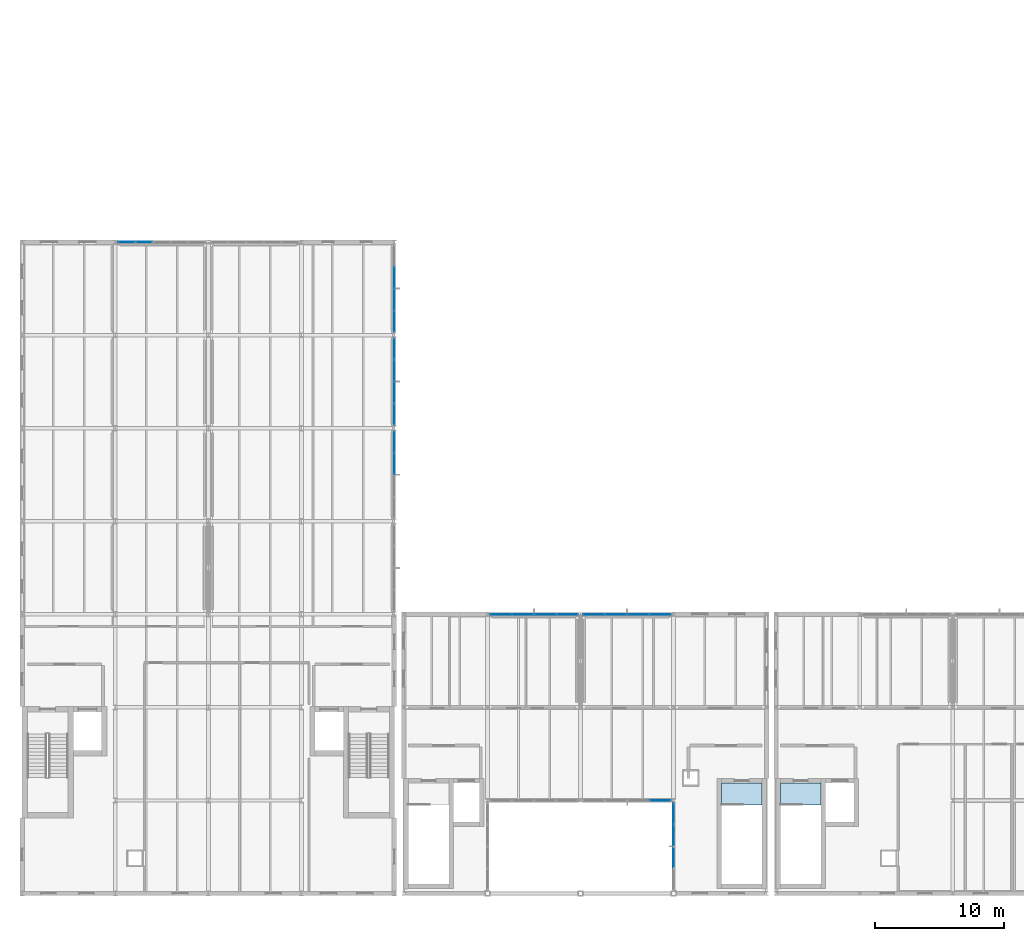
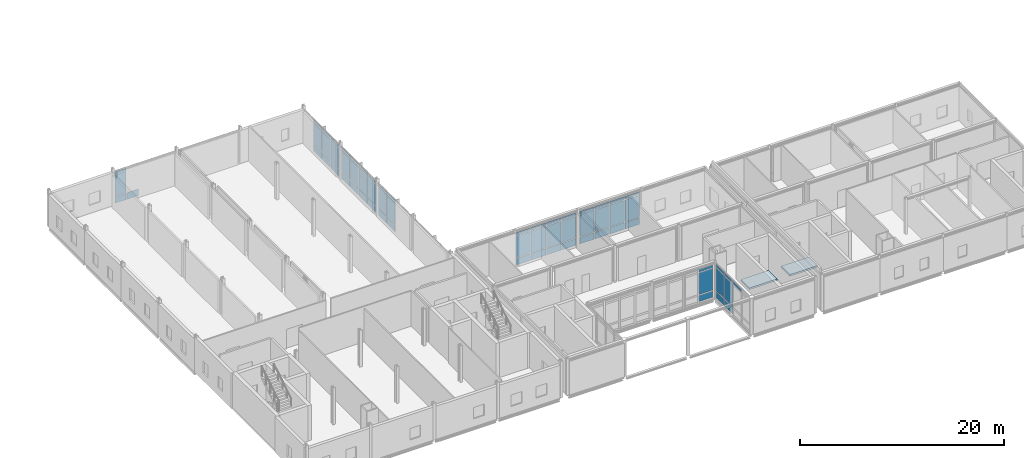
# One storey, part 22 of 43: 65 plates, 2 slabs, 8 elements without a shape of their own.
"""IFC4 building model written with IfcOpenShell, lengths in metres."""

from ifc_helpers import new_model, si_unit, direction, frame, origin, origin_2d, place, context, subcontext, project, spatial, polyline, rectangle, outline, extrude, material, layer, layer_set, type_object, element, aggregate, save


model = new_model("IFC4")

# Units and contexts
model_context = context("Model", 3, precision=1e-05, world=origin(), true_north=direction((0.0, 1.0)))
body_context = subcontext(model_context, "Body", "Model", "MODEL_VIEW")
ifc_project = project(units=[si_unit("LENGTHUNIT", "METRE"), si_unit("AREAUNIT", "SQUARE_METRE"), si_unit("VOLUMEUNIT", "CUBIC_METRE"), si_unit("PLANEANGLEUNIT", "RADIAN"), si_unit("MASSUNIT", "GRAM", prefix="KILO")], contexts=[model_context])

# Site, building, storey
site_placement = place(None, origin())
site = spatial("IfcSite", under=ifc_project, at=site_placement, CompositionType="ELEMENT")
building_placement = place(site_placement, origin())
building = spatial("IfcBuilding", under=site, at=building_placement, Name="Zarrinpeak Specialist Clinic", CompositionType="ELEMENT")
storey_placement = place(building_placement, frame((0.0, 0.0, 18.39990234375)))
storey = spatial("IfcBuildingStorey", under=building, at=storey_placement, Name="L04", CompositionType="ELEMENT", Elevation=18.39990234375)

# Curtain wall, plates
ifc_material_1 = material(Name="Anodised Aluminium Alloy 6063-T6", Category="aluminium")
ifc_layer_1 = layer(ifc_material_1, 0.1650390625)
ifc_layer_set_1 = layer_set([ifc_layer_1], Name="Anodised Aluminium Alloy 6063-T6")
curtain_wall_type_1 = type_object("IfcCurtainWallType", Name="CW-CLINIC", PredefinedType="NOTDEFINED", material=ifc_layer_set_1)
curtain_wall_1_placement = place(storey_placement, origin())
curtain_wall_1 = element("IfcCurtainWall", 1, at=curtain_wall_1_placement, inside=storey, type_object=curtain_wall_type_1, Name="L04 V1 Unitised Curtain Wall CW-L04-V1-025", PredefinedType="NOTDEFINED")
ifc_material_2 = material(Name="Double Low-E Insulated Glazing", Category="glass")
ifc_layer_2 = layer(ifc_material_2, 0.028076171875)
ifc_layer_set_2 = layer_set([ifc_layer_2], Name="Double Low-E Insulated Glazing")
plate_type = type_object("IfcPlateType", Name="CWP-GLZ28", PredefinedType="CURTAIN_PANEL", material=ifc_layer_set_2)
plate_1_placement = place(storey_placement, frame((9.426025390625, 50.39990234375, 0.074951171875), z_axis=(0.0, 0.0, 1.0), x_axis=(-1.0, 0.0, 0.0)))
plate_1 = element("IfcPlate", 2, at=plate_1_placement, type_object=plate_type, Name="CW-03 panel 4.1", PredefinedType="CURTAIN_PANEL", context=body_context, shape_type="SweptSolid", body=[
    extrude(rectangle(XDim=1.299072265625, YDim=0.028076171875, at=origin_2d()), origin(), (0.0, 0.0, 1.0), 0.78759765625),
])
plate_2_placement = place(storey_placement, frame((8.07080078125, 50.39990234375, 0.074951171875), z_axis=(0.0, 0.0, 1.0), x_axis=(-1.0, 0.0, 0.0)))
plate_2 = element("IfcPlate", 3, at=plate_2_placement, type_object=plate_type, Name="CW-03 panel 5.1", PredefinedType="CURTAIN_PANEL", context=body_context, shape_type="SweptSolid", body=[
    extrude(rectangle(XDim=1.261474609375, YDim=0.028076171875, at=origin_2d()), origin(), (0.0, 0.0, 1.0), 0.78759765625),
])
plate_3_placement = place(storey_placement, frame((8.07080078125, 50.39990234375, 0.9375), z_axis=(0.0, 0.0, 1.0), x_axis=(-1.0, 0.0, 0.0)))
plate_3 = element("IfcPlate", 4, at=plate_3_placement, type_object=plate_type, Name="CW-03 panel 5.2", PredefinedType="CURTAIN_PANEL", context=body_context, shape_type="SweptSolid", body=[
    extrude(rectangle(XDim=1.261474609375, YDim=0.028076171875, at=origin_2d()), origin(), (0.0, 0.0, 1.0), 2.489990234375),
])
plate_4_placement = place(storey_placement, frame((8.07080078125, 50.39990234375, 3.502685546875), z_axis=(0.0, 0.0, 1.0), x_axis=(-1.0, 0.0, 0.0)))
plate_4 = element("IfcPlate", 5, at=plate_4_placement, type_object=plate_type, Name="CW-03 panel 5.3", PredefinedType="CURTAIN_PANEL", context=body_context, shape_type="SweptSolid", body=[
    extrude(rectangle(XDim=1.261474609375, YDim=0.028076171875, at=origin_2d()), origin(), (0.0, 0.0, 1.0), 0.33740234375),
])
aggregate(curtain_wall_1, [plate_1, plate_2, plate_3, plate_4])

ifc_layer_3 = layer(ifc_material_1, 0.179931640625)
ifc_layer_set_3 = layer_set([ifc_layer_3], Name="Anodised Aluminium Alloy 6063-T6")
curtain_wall_type_2 = type_object("IfcCurtainWallType", Name="CW-COURT", PredefinedType="NOTDEFINED", material=ifc_layer_set_3)
curtain_wall_2_placement = place(storey_placement, origin())
curtain_wall_2 = element("IfcCurtainWall", 6, at=curtain_wall_2_placement, inside=storey, type_object=curtain_wall_type_2, Name="L04 V1 Unitised Curtain Wall CW-L04-V1-028", PredefinedType="NOTDEFINED")
plate_5_placement = place(storey_placement, frame((28.800048828125, 33.248779296875, 0.074951171875), z_axis=(0.0, 0.0, 1.0), x_axis=(0.0, 1.0, 0.0)))
plate_5 = element("IfcPlate", 7, at=plate_5_placement, type_object=plate_type, Name="CW-01 panel 3.1", PredefinedType="CURTAIN_PANEL", context=body_context, shape_type="SweptSolid", body=[
    extrude(rectangle(XDim=1.62255859375, YDim=0.028076171875, at=origin_2d()), origin(), (0.0, 0.0, 1.0), 0.78759765625),
])
plate_6_placement = place(storey_placement, frame((28.800048828125, 33.248779296875, 0.9375), z_axis=(0.0, 0.0, 1.0), x_axis=(0.0, 1.0, 0.0)))
plate_6 = element("IfcPlate", 8, at=plate_6_placement, type_object=plate_type, Name="CW-01 panel 3.2", PredefinedType="CURTAIN_PANEL", context=body_context, shape_type="SweptSolid", body=[
    extrude(rectangle(XDim=1.62255859375, YDim=0.028076171875, at=origin_2d()), origin(), (0.0, 0.0, 1.0), 2.47509765625),
])
plate_7_placement = place(storey_placement, frame((28.800048828125, 33.248779296875, 3.487548828125), z_axis=(0.0, 0.0, 1.0), x_axis=(0.0, 1.0, 0.0)))
plate_7 = element("IfcPlate", 9, at=plate_7_placement, type_object=plate_type, Name="CW-01 panel 3.3", PredefinedType="CURTAIN_PANEL", context=body_context, shape_type="SweptSolid", body=[
    extrude(rectangle(XDim=1.62255859375, YDim=0.028076171875, at=origin_2d()), origin(), (0.0, 0.0, 1.0), 0.33740234375),
])
plate_8_placement = place(storey_placement, frame((28.800048828125, 34.927490234375, 0.074951171875), z_axis=(0.0, 0.0, 1.0), x_axis=(0.0, 1.0, 0.0)))
plate_8 = element("IfcPlate", 10, at=plate_8_placement, type_object=plate_type, Name="CW-01 panel 4.1", PredefinedType="CURTAIN_PANEL", context=body_context, shape_type="SweptSolid", body=[
    extrude(rectangle(XDim=1.5849609375, YDim=0.028076171875, at=origin_2d()), origin(), (0.0, 0.0, 1.0), 0.78759765625),
])
plate_9_placement = place(storey_placement, frame((28.800048828125, 34.927490234375, 0.9375), z_axis=(0.0, 0.0, 1.0), x_axis=(0.0, 1.0, 0.0)))
plate_9 = element("IfcPlate", 11, at=plate_9_placement, type_object=plate_type, Name="CW-01 panel 4.2", PredefinedType="CURTAIN_PANEL", context=body_context, shape_type="SweptSolid", body=[
    extrude(rectangle(XDim=1.5849609375, YDim=0.028076171875, at=origin_2d()), origin(), (0.0, 0.0, 1.0), 2.47509765625),
])
plate_10_placement = place(storey_placement, frame((28.800048828125, 34.927490234375, 3.487548828125), z_axis=(0.0, 0.0, 1.0), x_axis=(0.0, 1.0, 0.0)))
plate_10 = element("IfcPlate", 12, at=plate_10_placement, type_object=plate_type, Name="CW-01 panel 4.3", PredefinedType="CURTAIN_PANEL", context=body_context, shape_type="SweptSolid", body=[
    extrude(rectangle(XDim=1.5849609375, YDim=0.028076171875, at=origin_2d()), origin(), (0.0, 0.0, 1.0), 0.33740234375),
])
aggregate(curtain_wall_2, [plate_5, plate_6, plate_7, plate_8, plate_9, plate_10])

curtain_wall_3_placement = place(storey_placement, origin())
curtain_wall_3 = element("IfcCurtainWall", 13, at=curtain_wall_3_placement, inside=storey, type_object=curtain_wall_type_2, Name="L04 V1 Unitised Curtain Wall CW-L04-V1-029", PredefinedType="NOTDEFINED")
plate_11_placement = place(storey_placement, frame((28.800048828125, 37.074951171875, 0.074951171875), z_axis=(0.0, 0.0, 1.0), x_axis=(0.0, 1.0, 0.0)))
plate_11 = element("IfcPlate", 14, at=plate_11_placement, type_object=plate_type, Name="CW-01 panel 1.1", PredefinedType="CURTAIN_PANEL", context=body_context, shape_type="SweptSolid", body=[
    extrude(rectangle(XDim=1.590087890625, YDim=0.028076171875, at=origin_2d()), origin(), (0.0, 0.0, 1.0), 0.78759765625),
])
plate_12_placement = place(storey_placement, frame((28.800048828125, 37.074951171875, 0.9375), z_axis=(0.0, 0.0, 1.0), x_axis=(0.0, 1.0, 0.0)))
plate_12 = element("IfcPlate", 15, at=plate_12_placement, type_object=plate_type, Name="CW-01 panel 1.2", PredefinedType="CURTAIN_PANEL", context=body_context, shape_type="SweptSolid", body=[
    extrude(rectangle(XDim=1.590087890625, YDim=0.028076171875, at=origin_2d()), origin(), (0.0, 0.0, 1.0), 2.47509765625),
])
plate_13_placement = place(storey_placement, frame((28.800048828125, 37.074951171875, 3.487548828125), z_axis=(0.0, 0.0, 1.0), x_axis=(0.0, 1.0, 0.0)))
plate_13 = element("IfcPlate", 16, at=plate_13_placement, type_object=plate_type, Name="CW-01 panel 1.3", PredefinedType="CURTAIN_PANEL", context=body_context, shape_type="SweptSolid", body=[
    extrude(rectangle(XDim=1.590087890625, YDim=0.028076171875, at=origin_2d()), origin(), (0.0, 0.0, 1.0), 0.33740234375),
])
plate_14_placement = place(storey_placement, frame((28.800048828125, 38.7587890625, 0.074951171875), z_axis=(0.0, 0.0, 1.0), x_axis=(0.0, 1.0, 0.0)))
plate_14 = element("IfcPlate", 17, at=plate_14_placement, type_object=plate_type, Name="CW-01 panel 2.1", PredefinedType="CURTAIN_PANEL", context=body_context, shape_type="SweptSolid", body=[
    extrude(rectangle(XDim=1.62744140625, YDim=0.028076171875, at=origin_2d()), origin(), (0.0, 0.0, 1.0), 0.78759765625),
])
plate_15_placement = place(storey_placement, frame((28.800048828125, 38.7587890625, 0.9375), z_axis=(0.0, 0.0, 1.0), x_axis=(0.0, 1.0, 0.0)))
plate_15 = element("IfcPlate", 18, at=plate_15_placement, type_object=plate_type, Name="CW-01 panel 2.2", PredefinedType="CURTAIN_PANEL", context=body_context, shape_type="SweptSolid", body=[
    extrude(rectangle(XDim=1.62744140625, YDim=0.028076171875, at=origin_2d()), origin(), (0.0, 0.0, 1.0), 2.47509765625),
])
plate_16_placement = place(storey_placement, frame((28.800048828125, 38.7587890625, 3.487548828125), z_axis=(0.0, 0.0, 1.0), x_axis=(0.0, 1.0, 0.0)))
plate_16 = element("IfcPlate", 19, at=plate_16_placement, type_object=plate_type, Name="CW-01 panel 2.3", PredefinedType="CURTAIN_PANEL", context=body_context, shape_type="SweptSolid", body=[
    extrude(rectangle(XDim=1.62744140625, YDim=0.028076171875, at=origin_2d()), origin(), (0.0, 0.0, 1.0), 0.33740234375),
])
plate_17_placement = place(storey_placement, frame((28.800048828125, 40.461181640625, 0.074951171875), z_axis=(0.0, 0.0, 1.0), x_axis=(0.0, 1.0, 0.0)))
plate_17 = element("IfcPlate", 20, at=plate_17_placement, type_object=plate_type, Name="CW-01 panel 3.1", PredefinedType="CURTAIN_PANEL", context=body_context, shape_type="SweptSolid", body=[
    extrude(rectangle(XDim=1.62744140625, YDim=0.028076171875, at=origin_2d()), origin(), (0.0, 0.0, 1.0), 0.78759765625),
])
plate_18_placement = place(storey_placement, frame((28.800048828125, 40.461181640625, 0.9375), z_axis=(0.0, 0.0, 1.0), x_axis=(0.0, 1.0, 0.0)))
plate_18 = element("IfcPlate", 21, at=plate_18_placement, type_object=plate_type, Name="CW-01 panel 3.2", PredefinedType="CURTAIN_PANEL", context=body_context, shape_type="SweptSolid", body=[
    extrude(rectangle(XDim=1.62744140625, YDim=0.028076171875, at=origin_2d()), origin(), (0.0, 0.0, 1.0), 2.47509765625),
])
plate_19_placement = place(storey_placement, frame((28.800048828125, 40.461181640625, 3.487548828125), z_axis=(0.0, 0.0, 1.0), x_axis=(0.0, 1.0, 0.0)))
plate_19 = element("IfcPlate", 22, at=plate_19_placement, type_object=plate_type, Name="CW-01 panel 3.3", PredefinedType="CURTAIN_PANEL", context=body_context, shape_type="SweptSolid", body=[
    extrude(rectangle(XDim=1.62744140625, YDim=0.028076171875, at=origin_2d()), origin(), (0.0, 0.0, 1.0), 0.33740234375),
])
plate_20_placement = place(storey_placement, frame((28.800048828125, 42.14501953125, 0.074951171875), z_axis=(0.0, 0.0, 1.0), x_axis=(0.0, 1.0, 0.0)))
plate_20 = element("IfcPlate", 23, at=plate_20_placement, type_object=plate_type, Name="CW-01 panel 4.1", PredefinedType="CURTAIN_PANEL", context=body_context, shape_type="SweptSolid", body=[
    extrude(rectangle(XDim=1.590087890625, YDim=0.028076171875, at=origin_2d()), origin(), (0.0, 0.0, 1.0), 0.78759765625),
])
plate_21_placement = place(storey_placement, frame((28.800048828125, 42.14501953125, 0.9375), z_axis=(0.0, 0.0, 1.0), x_axis=(0.0, 1.0, 0.0)))
plate_21 = element("IfcPlate", 24, at=plate_21_placement, type_object=plate_type, Name="CW-01 panel 4.2", PredefinedType="CURTAIN_PANEL", context=body_context, shape_type="SweptSolid", body=[
    extrude(rectangle(XDim=1.590087890625, YDim=0.028076171875, at=origin_2d()), origin(), (0.0, 0.0, 1.0), 2.47509765625),
])
plate_22_placement = place(storey_placement, frame((28.800048828125, 42.14501953125, 3.487548828125), z_axis=(0.0, 0.0, 1.0), x_axis=(0.0, 1.0, 0.0)))
plate_22 = element("IfcPlate", 25, at=plate_22_placement, type_object=plate_type, Name="CW-01 panel 4.3", PredefinedType="CURTAIN_PANEL", context=body_context, shape_type="SweptSolid", body=[
    extrude(rectangle(XDim=1.590087890625, YDim=0.028076171875, at=origin_2d()), origin(), (0.0, 0.0, 1.0), 0.33740234375),
])
aggregate(curtain_wall_3, [plate_11, plate_12, plate_13, plate_14, plate_15, plate_16, plate_17, plate_18, plate_19, plate_20, plate_21, plate_22])

curtain_wall_4_placement = place(storey_placement, origin())
curtain_wall_4 = element("IfcCurtainWall", 26, at=curtain_wall_4_placement, inside=storey, type_object=curtain_wall_type_2, Name="L04 V1 Unitised Curtain Wall CW-L04-V1-030", PredefinedType="NOTDEFINED")
plate_23_placement = place(storey_placement, frame((28.800048828125, 44.260009765625, 0.074951171875), z_axis=(0.0, 0.0, 1.0), x_axis=(0.0, 1.0, 0.0)))
plate_23 = element("IfcPlate", 27, at=plate_23_placement, type_object=plate_type, Name="CW-01 panel 1.1", PredefinedType="CURTAIN_PANEL", context=body_context, shape_type="SweptSolid", body=[
    extrude(rectangle(XDim=1.60009765625, YDim=0.028076171875, at=origin_2d()), origin(), (0.0, 0.0, 1.0), 0.78759765625),
])
plate_24_placement = place(storey_placement, frame((28.800048828125, 44.260009765625, 0.937744140625), z_axis=(0.0, 0.0, 1.0), x_axis=(0.0, 1.0, 0.0)))
plate_24 = element("IfcPlate", 28, at=plate_24_placement, type_object=plate_type, Name="CW-01 panel 1.2", PredefinedType="CURTAIN_PANEL", context=body_context, shape_type="SweptSolid", body=[
    extrude(rectangle(XDim=1.60009765625, YDim=0.028076171875, at=origin_2d()), origin(), (0.0, 0.0, 1.0), 2.43994140625),
])
plate_25_placement = place(storey_placement, frame((28.800048828125, 44.260009765625, 3.45263671875), z_axis=(0.0, 0.0, 1.0), x_axis=(0.0, 1.0, 0.0)))
plate_25 = element("IfcPlate", 29, at=plate_25_placement, type_object=plate_type, Name="CW-01 panel 1.3", PredefinedType="CURTAIN_PANEL", context=body_context, shape_type="SweptSolid", body=[
    extrude(rectangle(XDim=1.60009765625, YDim=0.028076171875, at=origin_2d()), origin(), (0.0, 0.0, 1.0), 0.33740234375),
])
plate_26_placement = place(storey_placement, frame((28.800048828125, 45.953857421875, 0.074951171875), z_axis=(0.0, 0.0, 1.0), x_axis=(0.0, 1.0, 0.0)))
plate_26 = element("IfcPlate", 30, at=plate_26_placement, type_object=plate_type, Name="CW-01 panel 2.1", PredefinedType="CURTAIN_PANEL", context=body_context, shape_type="SweptSolid", body=[
    extrude(rectangle(XDim=1.637451171875, YDim=0.028076171875, at=origin_2d()), origin(), (0.0, 0.0, 1.0), 0.78759765625),
])
plate_27_placement = place(storey_placement, frame((28.800048828125, 45.953857421875, 0.937744140625), z_axis=(0.0, 0.0, 1.0), x_axis=(0.0, 1.0, 0.0)))
plate_27 = element("IfcPlate", 31, at=plate_27_placement, type_object=plate_type, Name="CW-01 panel 2.2", PredefinedType="CURTAIN_PANEL", context=body_context, shape_type="SweptSolid", body=[
    extrude(rectangle(XDim=1.637451171875, YDim=0.028076171875, at=origin_2d()), origin(), (0.0, 0.0, 1.0), 2.43994140625),
])
plate_28_placement = place(storey_placement, frame((28.800048828125, 45.953857421875, 3.45263671875), z_axis=(0.0, 0.0, 1.0), x_axis=(0.0, 1.0, 0.0)))
plate_28 = element("IfcPlate", 32, at=plate_28_placement, type_object=plate_type, Name="CW-01 panel 2.3", PredefinedType="CURTAIN_PANEL", context=body_context, shape_type="SweptSolid", body=[
    extrude(rectangle(XDim=1.637451171875, YDim=0.028076171875, at=origin_2d()), origin(), (0.0, 0.0, 1.0), 0.33740234375),
])
plate_29_placement = place(storey_placement, frame((28.800048828125, 47.666259765625, 0.074951171875), z_axis=(0.0, 0.0, 1.0), x_axis=(0.0, 1.0, 0.0)))
plate_29 = element("IfcPlate", 33, at=plate_29_placement, type_object=plate_type, Name="CW-01 panel 3.1", PredefinedType="CURTAIN_PANEL", context=body_context, shape_type="SweptSolid", body=[
    extrude(rectangle(XDim=1.637451171875, YDim=0.028076171875, at=origin_2d()), origin(), (0.0, 0.0, 1.0), 0.78759765625),
])
plate_30_placement = place(storey_placement, frame((28.800048828125, 47.666259765625, 0.937744140625), z_axis=(0.0, 0.0, 1.0), x_axis=(0.0, 1.0, 0.0)))
plate_30 = element("IfcPlate", 34, at=plate_30_placement, type_object=plate_type, Name="CW-01 panel 3.2", PredefinedType="CURTAIN_PANEL", context=body_context, shape_type="SweptSolid", body=[
    extrude(rectangle(XDim=1.637451171875, YDim=0.028076171875, at=origin_2d()), origin(), (0.0, 0.0, 1.0), 2.43994140625),
])
plate_31_placement = place(storey_placement, frame((28.800048828125, 47.666259765625, 3.45263671875), z_axis=(0.0, 0.0, 1.0), x_axis=(0.0, 1.0, 0.0)))
plate_31 = element("IfcPlate", 35, at=plate_31_placement, type_object=plate_type, Name="CW-01 panel 3.3", PredefinedType="CURTAIN_PANEL", context=body_context, shape_type="SweptSolid", body=[
    extrude(rectangle(XDim=1.637451171875, YDim=0.028076171875, at=origin_2d()), origin(), (0.0, 0.0, 1.0), 0.33740234375),
])
aggregate(curtain_wall_4, [plate_23, plate_24, plate_25, plate_26, plate_27, plate_28, plate_29, plate_30, plate_31])

ifc_layer_4 = layer(ifc_material_1, 0.18994140625)
ifc_layer_set_4 = layer_set([ifc_layer_4], Name="Anodised Aluminium Alloy 6063-T6")
curtain_wall_type_3 = type_object("IfcCurtainWallType", Name="CW-LOGGIA", PredefinedType="NOTDEFINED", material=ifc_layer_set_4)
curtain_wall_5_placement = place(storey_placement, origin())
curtain_wall_5 = element("IfcCurtainWall", 36, at=curtain_wall_5_placement, inside=storey, type_object=curtain_wall_type_3, Name="L04 V2 Unitised Curtain Wall CW-L04-V2-064", PredefinedType="NOTDEFINED")
plate_32_placement = place(storey_placement, frame((49.36865234375, 7.199951171875, 0.09033203125), z_axis=(0.0, 0.0, 1.0), x_axis=(1.0, 0.0, 0.0)))
plate_32 = element("IfcPlate", 37, at=plate_32_placement, type_object=plate_type, Name="CW-04 panel 4.1", PredefinedType="CURTAIN_PANEL", context=body_context, shape_type="SweptSolid", body=[
    extrude(rectangle(XDim=1.592529296875, YDim=0.028076171875, at=origin_2d()), origin(), (0.0, 0.0, 1.0), 0.764892578125),
])
plate_33_placement = place(storey_placement, frame((49.36865234375, 7.199951171875, 0.9453125), z_axis=(0.0, 0.0, 1.0), x_axis=(1.0, 0.0, 0.0)))
plate_33 = element("IfcPlate", 38, at=plate_33_placement, type_object=plate_type, Name="CW-04 panel 4.2", PredefinedType="CURTAIN_PANEL", context=body_context, shape_type="SweptSolid", body=[
    extrude(rectangle(XDim=1.592529296875, YDim=0.028076171875, at=origin_2d()), origin(), (0.0, 0.0, 1.0), 2.594970703125),
])
plate_34_placement = place(storey_placement, frame((49.36865234375, 7.199951171875, 3.630126953125), z_axis=(0.0, 0.0, 1.0), x_axis=(1.0, 0.0, 0.0)))
plate_34 = element("IfcPlate", 39, at=plate_34_placement, type_object=plate_type, Name="CW-04 panel 4.3", PredefinedType="CURTAIN_PANEL", context=body_context, shape_type="SweptSolid", body=[
    extrude(rectangle(XDim=1.592529296875, YDim=0.028076171875, at=origin_2d()), origin(), (0.0, 0.0, 1.0), 0.31494140625),
])
aggregate(curtain_wall_5, [plate_32, plate_33, plate_34])

curtain_wall_6_placement = place(storey_placement, origin())
curtain_wall_6 = element("IfcCurtainWall", 40, at=curtain_wall_6_placement, inside=storey, type_object=curtain_wall_type_3, Name="L04 V2 Unitised Curtain Wall CW-L04-V2-066", PredefinedType="NOTDEFINED")
plate_35_placement = place(storey_placement, frame((50.39990234375, 6.17919921875, 0.09033203125), z_axis=(0.0, 0.0, 1.0), x_axis=(0.0, -1.0, 0.0)))
plate_35 = element("IfcPlate", 41, at=plate_35_placement, type_object=plate_type, Name="CW-04 panel 1.1", PredefinedType="CURTAIN_PANEL", context=body_context, shape_type="SweptSolid", body=[
    extrude(rectangle(XDim=1.57177734375, YDim=0.028076171875, at=origin_2d()), origin(), (0.0, 0.0, 1.0), 0.764892578125),
])
plate_36_placement = place(storey_placement, frame((50.39990234375, 6.17919921875, 0.9453125), z_axis=(0.0, 0.0, 1.0), x_axis=(0.0, -1.0, 0.0)))
plate_36 = element("IfcPlate", 42, at=plate_36_placement, type_object=plate_type, Name="CW-04 panel 1.2", PredefinedType="CURTAIN_PANEL", context=body_context, shape_type="SweptSolid", body=[
    extrude(rectangle(XDim=1.57177734375, YDim=0.028076171875, at=origin_2d()), origin(), (0.0, 0.0, 1.0), 2.739990234375),
])
plate_37_placement = place(storey_placement, frame((50.39990234375, 6.17919921875, 3.775146484375), z_axis=(0.0, 0.0, 1.0), x_axis=(0.0, -1.0, 0.0)))
plate_37 = element("IfcPlate", 43, at=plate_37_placement, type_object=plate_type, Name="CW-04 panel 1.3", PredefinedType="CURTAIN_PANEL", context=body_context, shape_type="SweptSolid", body=[
    extrude(rectangle(XDim=1.57177734375, YDim=0.028076171875, at=origin_2d()), origin(), (0.0, 0.0, 1.0), 0.31494140625),
])
plate_38_placement = place(storey_placement, frame((50.39990234375, 4.494873046875, 0.09033203125), z_axis=(0.0, 0.0, 1.0), x_axis=(0.0, -1.0, 0.0)))
plate_38 = element("IfcPlate", 44, at=plate_38_placement, type_object=plate_type, Name="CW-04 panel 2.1", PredefinedType="CURTAIN_PANEL", context=body_context, shape_type="SweptSolid", body=[
    extrude(rectangle(XDim=1.61669921875, YDim=0.028076171875, at=origin_2d()), origin(), (0.0, 0.0, 1.0), 0.764892578125),
])
plate_39_placement = place(storey_placement, frame((50.39990234375, 4.494873046875, 0.9453125), z_axis=(0.0, 0.0, 1.0), x_axis=(0.0, -1.0, 0.0)))
plate_39 = element("IfcPlate", 45, at=plate_39_placement, type_object=plate_type, Name="CW-04 panel 2.2", PredefinedType="CURTAIN_PANEL", context=body_context, shape_type="SweptSolid", body=[
    extrude(rectangle(XDim=1.61669921875, YDim=0.028076171875, at=origin_2d()), origin(), (0.0, 0.0, 1.0), 2.739990234375),
])
plate_40_placement = place(storey_placement, frame((50.39990234375, 4.494873046875, 3.775146484375), z_axis=(0.0, 0.0, 1.0), x_axis=(0.0, -1.0, 0.0)))
plate_40 = element("IfcPlate", 46, at=plate_40_placement, type_object=plate_type, Name="CW-04 panel 2.3", PredefinedType="CURTAIN_PANEL", context=body_context, shape_type="SweptSolid", body=[
    extrude(rectangle(XDim=1.61669921875, YDim=0.028076171875, at=origin_2d()), origin(), (0.0, 0.0, 1.0), 0.31494140625),
])
plate_41_placement = place(storey_placement, frame((50.39990234375, 2.788330078125, 3.775146484375), z_axis=(0.0, 0.0, 1.0), x_axis=(0.0, -1.0, 0.0)))
plate_41 = element("IfcPlate", 47, at=plate_41_placement, type_object=plate_type, Name="CW-04 panel 3.3", PredefinedType="CURTAIN_PANEL", context=body_context, shape_type="SweptSolid", body=[
    extrude(rectangle(XDim=1.61669921875, YDim=0.028076171875, at=origin_2d()), origin(), (0.0, 0.0, 1.0), 0.31494140625),
])
aggregate(curtain_wall_6, [plate_35, plate_36, plate_37, plate_38, plate_39, plate_40, plate_41])

curtain_wall_7_placement = place(storey_placement, origin())
curtain_wall_7 = element("IfcCurtainWall", 48, at=curtain_wall_7_placement, inside=storey, type_object=curtain_wall_type_2, Name="L04 V2 Unitised Curtain Wall CW-L04-V2-067", PredefinedType="NOTDEFINED")
plate_42_placement = place(storey_placement, frame((42.172607421875, 21.60009765625, 0.074951171875), z_axis=(0.0, 0.0, 1.0), x_axis=(-1.0, 0.0, 0.0)))
plate_42 = element("IfcPlate", 49, at=plate_42_placement, type_object=plate_type, Name="CW-01 panel 1.1", PredefinedType="CURTAIN_PANEL", context=body_context, shape_type="SweptSolid", body=[
    extrude(rectangle(XDim=1.614990234375, YDim=0.028076171875, at=origin_2d()), origin(), (0.0, 0.0, 1.0), 0.78759765625),
])
plate_43_placement = place(storey_placement, frame((42.172607421875, 21.60009765625, 0.9375), z_axis=(0.0, 0.0, 1.0), x_axis=(-1.0, 0.0, 0.0)))
plate_43 = element("IfcPlate", 50, at=plate_43_placement, type_object=plate_type, Name="CW-01 panel 1.2", PredefinedType="CURTAIN_PANEL", context=body_context, shape_type="SweptSolid", body=[
    extrude(rectangle(XDim=1.614990234375, YDim=0.028076171875, at=origin_2d()), origin(), (0.0, 0.0, 1.0), 2.610107421875),
])
plate_44_placement = place(storey_placement, frame((42.172607421875, 21.60009765625, 3.62255859375), z_axis=(0.0, 0.0, 1.0), x_axis=(-1.0, 0.0, 0.0)))
plate_44 = element("IfcPlate", 51, at=plate_44_placement, type_object=plate_type, Name="CW-01 panel 1.3", PredefinedType="CURTAIN_PANEL", context=body_context, shape_type="SweptSolid", body=[
    extrude(rectangle(XDim=1.614990234375, YDim=0.028076171875, at=origin_2d()), origin(), (0.0, 0.0, 1.0), 0.33740234375),
])
plate_45_placement = place(storey_placement, frame((40.4638671875, 21.60009765625, 0.074951171875), z_axis=(0.0, 0.0, 1.0), x_axis=(-1.0, 0.0, 0.0)))
plate_45 = element("IfcPlate", 52, at=plate_45_placement, type_object=plate_type, Name="CW-01 panel 2.1", PredefinedType="CURTAIN_PANEL", context=body_context, shape_type="SweptSolid", body=[
    extrude(rectangle(XDim=1.652587890625, YDim=0.028076171875, at=origin_2d()), origin(), (0.0, 0.0, 1.0), 0.78759765625),
])
plate_46_placement = place(storey_placement, frame((40.4638671875, 21.60009765625, 0.9375), z_axis=(0.0, 0.0, 1.0), x_axis=(-1.0, 0.0, 0.0)))
plate_46 = element("IfcPlate", 53, at=plate_46_placement, type_object=plate_type, Name="CW-01 panel 2.2", PredefinedType="CURTAIN_PANEL", context=body_context, shape_type="SweptSolid", body=[
    extrude(rectangle(XDim=1.652587890625, YDim=0.028076171875, at=origin_2d()), origin(), (0.0, 0.0, 1.0), 2.610107421875),
])
plate_47_placement = place(storey_placement, frame((40.4638671875, 21.60009765625, 3.62255859375), z_axis=(0.0, 0.0, 1.0), x_axis=(-1.0, 0.0, 0.0)))
plate_47 = element("IfcPlate", 54, at=plate_47_placement, type_object=plate_type, Name="CW-01 panel 2.3", PredefinedType="CURTAIN_PANEL", context=body_context, shape_type="SweptSolid", body=[
    extrude(rectangle(XDim=1.652587890625, YDim=0.028076171875, at=origin_2d()), origin(), (0.0, 0.0, 1.0), 0.33740234375),
])
plate_48_placement = place(storey_placement, frame((38.736328125, 21.60009765625, 0.074951171875), z_axis=(0.0, 0.0, 1.0), x_axis=(-1.0, 0.0, 0.0)))
plate_48 = element("IfcPlate", 55, at=plate_48_placement, type_object=plate_type, Name="CW-01 panel 3.1", PredefinedType="CURTAIN_PANEL", context=body_context, shape_type="SweptSolid", body=[
    extrude(rectangle(XDim=1.652587890625, YDim=0.028076171875, at=origin_2d()), origin(), (0.0, 0.0, 1.0), 0.78759765625),
])
plate_49_placement = place(storey_placement, frame((38.736328125, 21.60009765625, 0.9375), z_axis=(0.0, 0.0, 1.0), x_axis=(-1.0, 0.0, 0.0)))
plate_49 = element("IfcPlate", 56, at=plate_49_placement, type_object=plate_type, Name="CW-01 panel 3.2", PredefinedType="CURTAIN_PANEL", context=body_context, shape_type="SweptSolid", body=[
    extrude(rectangle(XDim=1.652587890625, YDim=0.028076171875, at=origin_2d()), origin(), (0.0, 0.0, 1.0), 2.610107421875),
])
plate_50_placement = place(storey_placement, frame((38.736328125, 21.60009765625, 3.62255859375), z_axis=(0.0, 0.0, 1.0), x_axis=(-1.0, 0.0, 0.0)))
plate_50 = element("IfcPlate", 57, at=plate_50_placement, type_object=plate_type, Name="CW-01 panel 3.3", PredefinedType="CURTAIN_PANEL", context=body_context, shape_type="SweptSolid", body=[
    extrude(rectangle(XDim=1.652587890625, YDim=0.028076171875, at=origin_2d()), origin(), (0.0, 0.0, 1.0), 0.33740234375),
])
plate_51_placement = place(storey_placement, frame((37.027587890625, 21.60009765625, 0.074951171875), z_axis=(0.0, 0.0, 1.0), x_axis=(-1.0, 0.0, 0.0)))
plate_51 = element("IfcPlate", 58, at=plate_51_placement, type_object=plate_type, Name="CW-01 panel 4.1", PredefinedType="CURTAIN_PANEL", context=body_context, shape_type="SweptSolid", body=[
    extrude(rectangle(XDim=1.614990234375, YDim=0.028076171875, at=origin_2d()), origin(), (0.0, 0.0, 1.0), 0.78759765625),
])
plate_52_placement = place(storey_placement, frame((37.027587890625, 21.60009765625, 0.9375), z_axis=(0.0, 0.0, 1.0), x_axis=(-1.0, 0.0, 0.0)))
plate_52 = element("IfcPlate", 59, at=plate_52_placement, type_object=plate_type, Name="CW-01 panel 4.2", PredefinedType="CURTAIN_PANEL", context=body_context, shape_type="SweptSolid", body=[
    extrude(rectangle(XDim=1.614990234375, YDim=0.028076171875, at=origin_2d()), origin(), (0.0, 0.0, 1.0), 2.610107421875),
])
plate_53_placement = place(storey_placement, frame((37.027587890625, 21.60009765625, 3.62255859375), z_axis=(0.0, 0.0, 1.0), x_axis=(-1.0, 0.0, 0.0)))
plate_53 = element("IfcPlate", 60, at=plate_53_placement, type_object=plate_type, Name="CW-01 panel 4.3", PredefinedType="CURTAIN_PANEL", context=body_context, shape_type="SweptSolid", body=[
    extrude(rectangle(XDim=1.614990234375, YDim=0.028076171875, at=origin_2d()), origin(), (0.0, 0.0, 1.0), 0.33740234375),
])
aggregate(curtain_wall_7, [plate_42, plate_43, plate_44, plate_45, plate_46, plate_47, plate_48, plate_49, plate_50, plate_51, plate_52, plate_53])

curtain_wall_8_placement = place(storey_placement, origin())
curtain_wall_8 = element("IfcCurtainWall", 61, at=curtain_wall_8_placement, inside=storey, type_object=curtain_wall_type_2, Name="L04 V2 Unitised Curtain Wall CW-L04-V2-068", PredefinedType="NOTDEFINED")
plate_54_placement = place(storey_placement, frame((49.37255859375, 21.60009765625, 0.074951171875), z_axis=(0.0, 0.0, 1.0), x_axis=(-1.0, 0.0, 0.0)))
plate_54 = element("IfcPlate", 62, at=plate_54_placement, type_object=plate_type, Name="CW-01 panel 1.1", PredefinedType="CURTAIN_PANEL", context=body_context, shape_type="SweptSolid", body=[
    extrude(rectangle(XDim=1.614990234375, YDim=0.028076171875, at=origin_2d()), origin(), (0.0, 0.0, 1.0), 0.78759765625),
])
plate_55_placement = place(storey_placement, frame((49.37255859375, 21.60009765625, 0.9375), z_axis=(0.0, 0.0, 1.0), x_axis=(-1.0, 0.0, 0.0)))
plate_55 = element("IfcPlate", 63, at=plate_55_placement, type_object=plate_type, Name="CW-01 panel 1.2", PredefinedType="CURTAIN_PANEL", context=body_context, shape_type="SweptSolid", body=[
    extrude(rectangle(XDim=1.614990234375, YDim=0.028076171875, at=origin_2d()), origin(), (0.0, 0.0, 1.0), 2.610107421875),
])
plate_56_placement = place(storey_placement, frame((49.37255859375, 21.60009765625, 3.62255859375), z_axis=(0.0, 0.0, 1.0), x_axis=(-1.0, 0.0, 0.0)))
plate_56 = element("IfcPlate", 64, at=plate_56_placement, type_object=plate_type, Name="CW-01 panel 1.3", PredefinedType="CURTAIN_PANEL", context=body_context, shape_type="SweptSolid", body=[
    extrude(rectangle(XDim=1.614990234375, YDim=0.028076171875, at=origin_2d()), origin(), (0.0, 0.0, 1.0), 0.33740234375),
])
plate_57_placement = place(storey_placement, frame((47.663818359375, 21.60009765625, 0.074951171875), z_axis=(0.0, 0.0, 1.0), x_axis=(-1.0, 0.0, 0.0)))
plate_57 = element("IfcPlate", 65, at=plate_57_placement, type_object=plate_type, Name="CW-01 panel 2.1", PredefinedType="CURTAIN_PANEL", context=body_context, shape_type="SweptSolid", body=[
    extrude(rectangle(XDim=1.652587890625, YDim=0.028076171875, at=origin_2d()), origin(), (0.0, 0.0, 1.0), 0.78759765625),
])
plate_58_placement = place(storey_placement, frame((47.663818359375, 21.60009765625, 0.9375), z_axis=(0.0, 0.0, 1.0), x_axis=(-1.0, 0.0, 0.0)))
plate_58 = element("IfcPlate", 66, at=plate_58_placement, type_object=plate_type, Name="CW-01 panel 2.2", PredefinedType="CURTAIN_PANEL", context=body_context, shape_type="SweptSolid", body=[
    extrude(rectangle(XDim=1.652587890625, YDim=0.028076171875, at=origin_2d()), origin(), (0.0, 0.0, 1.0), 2.610107421875),
])
plate_59_placement = place(storey_placement, frame((47.663818359375, 21.60009765625, 3.62255859375), z_axis=(0.0, 0.0, 1.0), x_axis=(-1.0, 0.0, 0.0)))
plate_59 = element("IfcPlate", 67, at=plate_59_placement, type_object=plate_type, Name="CW-01 panel 2.3", PredefinedType="CURTAIN_PANEL", context=body_context, shape_type="SweptSolid", body=[
    extrude(rectangle(XDim=1.652587890625, YDim=0.028076171875, at=origin_2d()), origin(), (0.0, 0.0, 1.0), 0.33740234375),
])
plate_60_placement = place(storey_placement, frame((45.936279296875, 21.60009765625, 0.074951171875), z_axis=(0.0, 0.0, 1.0), x_axis=(-1.0, 0.0, 0.0)))
plate_60 = element("IfcPlate", 68, at=plate_60_placement, type_object=plate_type, Name="CW-01 panel 3.1", PredefinedType="CURTAIN_PANEL", context=body_context, shape_type="SweptSolid", body=[
    extrude(rectangle(XDim=1.652587890625, YDim=0.028076171875, at=origin_2d()), origin(), (0.0, 0.0, 1.0), 0.78759765625),
])
plate_61_placement = place(storey_placement, frame((45.936279296875, 21.60009765625, 0.9375), z_axis=(0.0, 0.0, 1.0), x_axis=(-1.0, 0.0, 0.0)))
plate_61 = element("IfcPlate", 69, at=plate_61_placement, type_object=plate_type, Name="CW-01 panel 3.2", PredefinedType="CURTAIN_PANEL", context=body_context, shape_type="SweptSolid", body=[
    extrude(rectangle(XDim=1.652587890625, YDim=0.028076171875, at=origin_2d()), origin(), (0.0, 0.0, 1.0), 2.610107421875),
])
plate_62_placement = place(storey_placement, frame((45.936279296875, 21.60009765625, 3.62255859375), z_axis=(0.0, 0.0, 1.0), x_axis=(-1.0, 0.0, 0.0)))
plate_62 = element("IfcPlate", 70, at=plate_62_placement, type_object=plate_type, Name="CW-01 panel 3.3", PredefinedType="CURTAIN_PANEL", context=body_context, shape_type="SweptSolid", body=[
    extrude(rectangle(XDim=1.652587890625, YDim=0.028076171875, at=origin_2d()), origin(), (0.0, 0.0, 1.0), 0.33740234375),
])
plate_63_placement = place(storey_placement, frame((44.2275390625, 21.60009765625, 0.074951171875), z_axis=(0.0, 0.0, 1.0), x_axis=(-1.0, 0.0, 0.0)))
plate_63 = element("IfcPlate", 71, at=plate_63_placement, type_object=plate_type, Name="CW-01 panel 4.1", PredefinedType="CURTAIN_PANEL", context=body_context, shape_type="SweptSolid", body=[
    extrude(rectangle(XDim=1.614990234375, YDim=0.028076171875, at=origin_2d()), origin(), (0.0, 0.0, 1.0), 0.78759765625),
])
plate_64_placement = place(storey_placement, frame((44.2275390625, 21.60009765625, 0.9375), z_axis=(0.0, 0.0, 1.0), x_axis=(-1.0, 0.0, 0.0)))
plate_64 = element("IfcPlate", 72, at=plate_64_placement, type_object=plate_type, Name="CW-01 panel 4.2", PredefinedType="CURTAIN_PANEL", context=body_context, shape_type="SweptSolid", body=[
    extrude(rectangle(XDim=1.614990234375, YDim=0.028076171875, at=origin_2d()), origin(), (0.0, 0.0, 1.0), 2.610107421875),
])
plate_65_placement = place(storey_placement, frame((44.2275390625, 21.60009765625, 3.62255859375), z_axis=(0.0, 0.0, 1.0), x_axis=(-1.0, 0.0, 0.0)))
plate_65 = element("IfcPlate", 73, at=plate_65_placement, type_object=plate_type, Name="CW-01 panel 4.3", PredefinedType="CURTAIN_PANEL", context=body_context, shape_type="SweptSolid", body=[
    extrude(rectangle(XDim=1.614990234375, YDim=0.028076171875, at=origin_2d()), origin(), (0.0, 0.0, 1.0), 0.33740234375),
])
aggregate(curtain_wall_8, [plate_54, plate_55, plate_56, plate_57, plate_58, plate_59, plate_60, plate_61, plate_62, plate_63, plate_64, plate_65])

# Slabs
ifc_material_3 = material(Name="Concrete C35/45", Category="concrete")
ifc_layer_5 = layer(ifc_material_3, 0.199951171875)
ifc_layer_set_5 = layer_set([ifc_layer_5], Name="Concrete C35/45")
slab_type = type_object("IfcSlabType", Name="SL-FLR200", PredefinedType="FLOOR", material=ifc_layer_set_5)
slab_1_placement = place(storey_placement, frame((0.0, 0.0, -0.199951171875)))
element("IfcSlab", 74, at=slab_1_placement, inside=storey, type_object=slab_type, Name="L04 Core C04 Stairwell Floor Landing Slab", PredefinedType="FLOOR", context=body_context, shape_type="SweptSolid", body=[
    extrude(outline(polyline([(54.10009765625, 6.85009765625), (57.25, 6.85009765625), (57.25, 8.550048828125), (54.10009765625, 8.550048828125), (54.10009765625, 6.85009765625)])), origin(), (0.0, 0.0, 1.0), 0.199951171875),
])
slab_2_placement = place(storey_placement, frame((0.0, 0.0, -0.199951171875)))
element("IfcSlab", 75, at=slab_2_placement, inside=storey, type_object=slab_type, Name="L04 Core C07 Stairwell Floor Landing Slab", PredefinedType="FLOOR", context=body_context, shape_type="SweptSolid", body=[
    extrude(outline(polyline([(58.669921875, 6.85009765625), (61.820068359375, 6.85009765625), (61.820068359375, 8.550048828125), (58.669921875, 8.550048828125), (58.669921875, 6.85009765625)])), origin(), (0.0, 0.0, 1.0), 0.199951171875),
])

save(model, "model.ifc")
